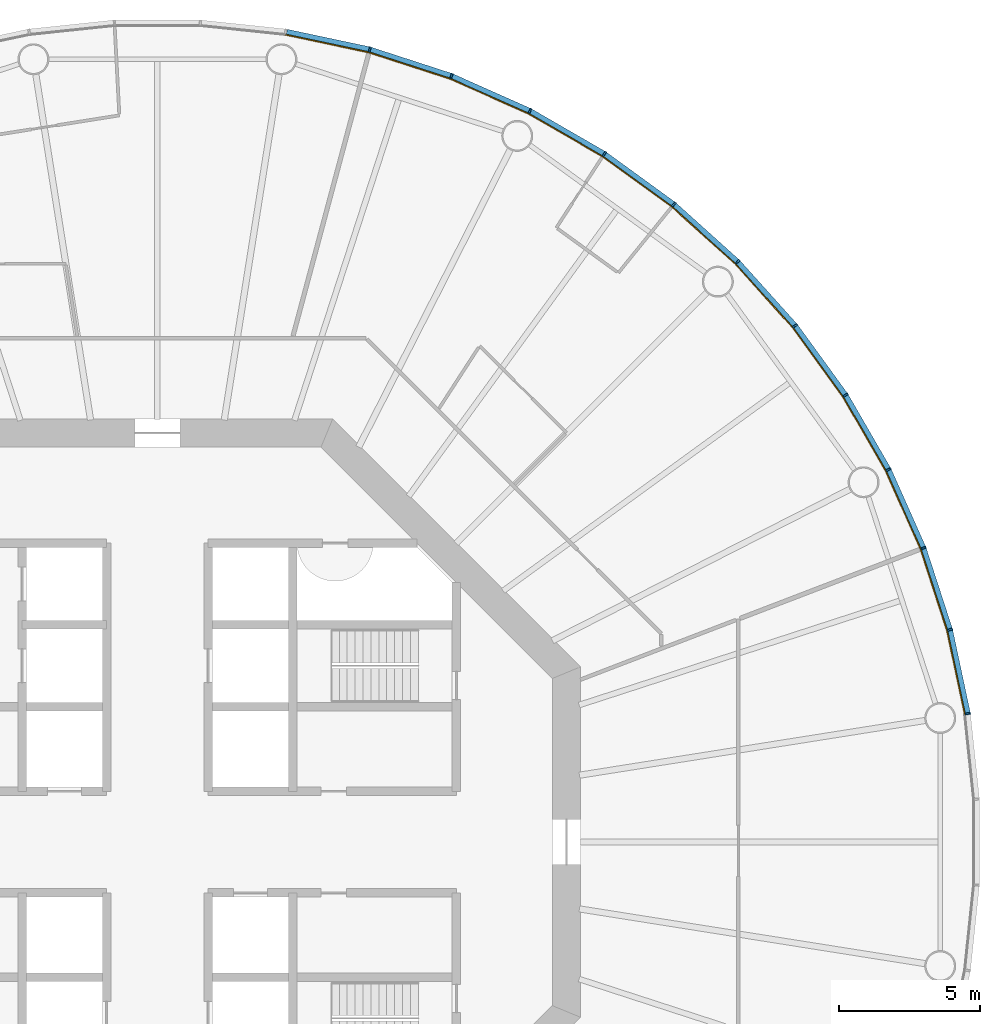
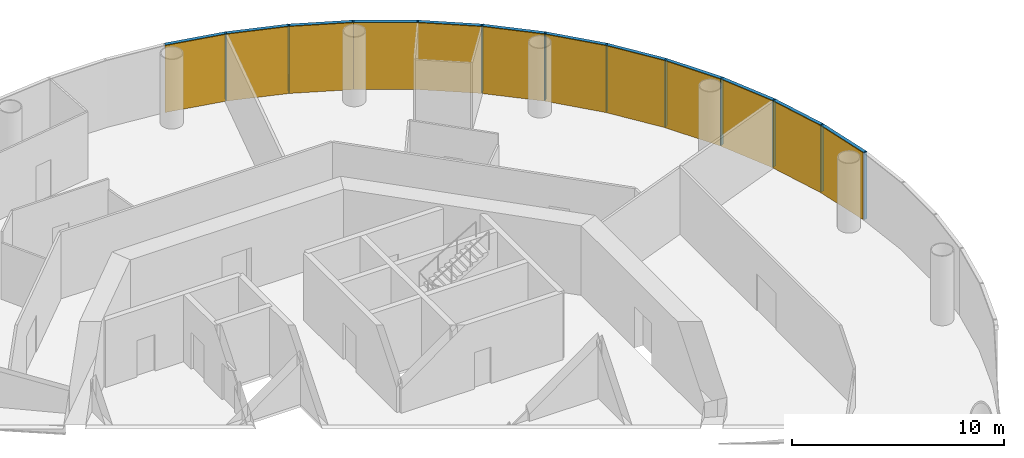
# One storey, part 11 of 12: 24 members, 4 curtain walls.
"""IFC4 building model written with IfcOpenShell, lengths in metres."""

from ifc_helpers import new_model, si_unit, direction, frame, origin, origin_2d, place, context, subcontext, project, spatial, polyline, rectangle, outline, extrude, material, layer, layer_set, material_profile, profile_set, type_object, element, aggregate, save


model = new_model("IFC4")

# Units and contexts
model_context = context("Model", 3, precision=1e-05, world=origin(), true_north=direction((0.0, 1.0)))
body_context = subcontext(model_context, "Body", "Model", "MODEL_VIEW")
ifc_project = project(units=[si_unit("LENGTHUNIT", "METRE"), si_unit("AREAUNIT", "SQUARE_METRE"), si_unit("VOLUMEUNIT", "CUBIC_METRE"), si_unit("PLANEANGLEUNIT", "RADIAN"), si_unit("MASSUNIT", "GRAM", prefix="KILO")], contexts=[model_context])

# Member
ifc_material_1 = material(Name="Anodised aluminium", Category="aluminium")
ifc_material_profile_1 = material_profile(ifc_material_1, rectangle(XDim=0.06494140625, YDim=0.18505859375, at=origin_2d()), Name="Mullion 65 x 185 mm anodised aluminium")
ifc_profile_set_1 = profile_set([ifc_material_profile_1], Name="Anodised aluminium")
member_type_1 = type_object("IfcMemberType", Name="Mullion 65 x 185 mm anodised aluminium", PredefinedType="MULLION", material=ifc_profile_set_1)
site_placement = place(None, origin())
building_placement = place(site_placement, origin())
storey_placement = place(building_placement, frame((0.0, 0.0, 148.0)))
member_1_placement = place(storey_placement, frame((118.734375, 84.551025390625, 0.0), z_axis=(0.0, 0.0, 1.0), x_axis=(-0.15643446504, 0.987688340595, 0.0)))
member_1 = element("IfcMember", 1, at=member_1_placement, type_object=member_type_1, Name="MULLION L33-00", PredefinedType="MULLION", context=body_context, shape_type="SweptSolid", body=[
    extrude(rectangle(XDim=0.06494140625, YDim=0.18505859375, at=origin_2d()), origin(), (0.0, 0.0, 1.0), 3.85009765625),
])

member_2_placement = place(storey_placement, frame((118.101318359375, 87.52978515625, 0.0), z_axis=(0.0, 0.0, 1.0), x_axis=(-0.258819045103, 0.965925826289, 0.0)))
member_2 = element("IfcMember", 2, at=member_2_placement, type_object=member_type_1, Name="MULLION L33-01", PredefinedType="MULLION", context=body_context, shape_type="SweptSolid", body=[
    extrude(rectangle(XDim=0.06494140625, YDim=0.18505859375, at=origin_2d()), origin(), (0.0, 0.0, 1.0), 3.85009765625),
])

member_3_placement = place(storey_placement, frame((117.16015625, 90.42578125, 0.0), z_axis=(0.0, 0.0, 1.0), x_axis=(-0.358367949545, 0.933580426497, 0.0)))
member_3 = element("IfcMember", 3, at=member_3_placement, type_object=member_type_1, Name="MULLION L33-02", PredefinedType="MULLION", context=body_context, shape_type="SweptSolid", body=[
    extrude(rectangle(XDim=0.06494140625, YDim=0.18505859375, at=origin_2d()), origin(), (0.0, 0.0, 1.0), 3.85009765625),
])

member_4_placement = place(storey_placement, frame((115.921630859375, 93.207763671875, 0.0), z_axis=(0.0, 0.0, 1.0), x_axis=(-0.45399049974, 0.891006524188, 0.0)))
member_4 = element("IfcMember", 4, at=member_4_placement, type_object=member_type_1, Name="MULLION L33-03", PredefinedType="MULLION", context=body_context, shape_type="SweptSolid", body=[
    extrude(rectangle(XDim=0.06494140625, YDim=0.18505859375, at=origin_2d()), origin(), (0.0, 0.0, 1.0), 3.85009765625),
])

member_5_placement = place(storey_placement, frame((114.39892578125, 95.844970703125, 0.0), z_axis=(0.0, 0.0, 1.0), x_axis=(-0.544639035015, 0.838670567945, 0.0)))
member_5 = element("IfcMember", 5, at=member_5_placement, type_object=member_type_1, Name="MULLION L33-04", PredefinedType="MULLION", context=body_context, shape_type="SweptSolid", body=[
    extrude(rectangle(XDim=0.06494140625, YDim=0.18505859375, at=origin_2d()), origin(), (0.0, 0.0, 1.0), 3.85009765625),
])

member_6_placement = place(storey_placement, frame((112.609130859375, 98.30859375, 0.0), z_axis=(0.0, 0.0, 1.0), x_axis=(-0.62932039105, 0.777145961457, 0.0)))
member_6 = element("IfcMember", 6, at=member_6_placement, type_object=member_type_1, Name="MULLION L33-05", PredefinedType="MULLION", context=body_context, shape_type="SweptSolid", body=[
    extrude(rectangle(XDim=0.06494140625, YDim=0.18505859375, at=origin_2d()), origin(), (0.0, 0.0, 1.0), 3.85009765625),
])

member_7_placement = place(storey_placement, frame((110.571533203125, 100.571533203125, 0.0), z_axis=(0.0, 0.0, 1.0), x_axis=(-0.707106781187, 0.707106781187, 0.0)))
member_7 = element("IfcMember", 7, at=member_7_placement, type_object=member_type_1, Name="MULLION L33-06", PredefinedType="MULLION", context=body_context, shape_type="SweptSolid", body=[
    extrude(rectangle(XDim=0.06494140625, YDim=0.18505859375, at=origin_2d()), origin(), (0.0, 0.0, 1.0), 3.85009765625),
])

member_8_placement = place(storey_placement, frame((108.30859375, 102.609130859375, 0.0), z_axis=(0.0, 0.0, 1.0), x_axis=(-0.777145961457, 0.62932039105, 0.0)))
member_8 = element("IfcMember", 8, at=member_8_placement, type_object=member_type_1, Name="MULLION L33-07", PredefinedType="MULLION", context=body_context, shape_type="SweptSolid", body=[
    extrude(rectangle(XDim=0.06494140625, YDim=0.18505859375, at=origin_2d()), origin(), (0.0, 0.0, 1.0), 3.85009765625),
])

member_9_placement = place(storey_placement, frame((105.844970703125, 104.39892578125, 0.0), z_axis=(0.0, 0.0, 1.0), x_axis=(-0.838670567945, 0.544639035015, 0.0)))
member_9 = element("IfcMember", 9, at=member_9_placement, type_object=member_type_1, Name="MULLION L33-08", PredefinedType="MULLION", context=body_context, shape_type="SweptSolid", body=[
    extrude(rectangle(XDim=0.06494140625, YDim=0.18505859375, at=origin_2d()), origin(), (0.0, 0.0, 1.0), 3.85009765625),
])

member_10_placement = place(storey_placement, frame((103.207763671875, 105.921630859375, 0.0), z_axis=(0.0, 0.0, 1.0), x_axis=(-0.891006524188, 0.45399049974, 0.0)))
member_10 = element("IfcMember", 10, at=member_10_placement, type_object=member_type_1, Name="MULLION L33-09", PredefinedType="MULLION", context=body_context, shape_type="SweptSolid", body=[
    extrude(rectangle(XDim=0.06494140625, YDim=0.18505859375, at=origin_2d()), origin(), (0.0, 0.0, 1.0), 3.85009765625),
])

member_11_placement = place(storey_placement, frame((100.42578125, 107.16015625, 0.0), z_axis=(0.0, 0.0, 1.0), x_axis=(-0.933580426497, 0.358367949545, 0.0)))
member_11 = element("IfcMember", 11, at=member_11_placement, type_object=member_type_1, Name="MULLION L33-10", PredefinedType="MULLION", context=body_context, shape_type="SweptSolid", body=[
    extrude(rectangle(XDim=0.06494140625, YDim=0.18505859375, at=origin_2d()), origin(), (0.0, 0.0, 1.0), 3.85009765625),
])

member_12_placement = place(storey_placement, frame((97.52978515625, 108.101318359375, 0.0), z_axis=(0.0, 0.0, 1.0), x_axis=(-0.965925826289, 0.258819045103, 0.0)))
member_12 = element("IfcMember", 12, at=member_12_placement, type_object=member_type_1, Name="MULLION L33-11", PredefinedType="MULLION", context=body_context, shape_type="SweptSolid", body=[
    extrude(rectangle(XDim=0.06494140625, YDim=0.18505859375, at=origin_2d()), origin(), (0.0, 0.0, 1.0), 3.85009765625),
])

ifc_material_2 = material(Name="Anodised aluminium", Category="aluminium")
ifc_material_profile_2 = material_profile(ifc_material_2, rectangle(XDim=0.18505859375, YDim=0.175048828125, at=origin_2d()), Name="Transom 175 x 185 mm anodised aluminium")
ifc_profile_set_2 = profile_set([ifc_material_profile_2], Name="Anodised aluminium")
member_type_2 = type_object("IfcMemberType", Name="Transom 175 x 185 mm anodised aluminium", PredefinedType="USERDEFINED", material=ifc_profile_set_2)
member_13_placement = place(storey_placement, frame((118.7265625, 84.587646484375, 3.762451171875), z_axis=(-0.207861704825, 0.97815822425, 0.0), x_axis=(-0.97815822425, -0.207861704825, 0.0)))
member_13 = element("IfcMember", 13, at=member_13_placement, type_object=member_type_2, Name="TRANSOM L33-00", ObjectType="TRANSOM", PredefinedType="USERDEFINED", context=body_context, shape_type="SweptSolid", body=[
    extrude(rectangle(XDim=0.18505859375, YDim=0.175048828125, at=origin_2d()), origin(), (0.0, 0.0, 1.0), 2.970458984375),
])

member_14_placement = place(storey_placement, frame((118.08984375, 87.565185546875, 3.762451171875), z_axis=(-0.30901917063, 0.951055809184, 0.0), x_axis=(-0.951055809184, -0.30901917063, 0.0)))
member_14 = element("IfcMember", 14, at=member_14_placement, type_object=member_type_2, Name="TRANSOM L33-01", ObjectType="TRANSOM", PredefinedType="USERDEFINED", context=body_context, shape_type="SweptSolid", body=[
    extrude(rectangle(XDim=0.18505859375, YDim=0.175048828125, at=origin_2d()), origin(), (0.0, 0.0, 1.0), 2.970703125),
])

member_15_placement = place(storey_placement, frame((117.14501953125, 90.4599609375, 3.762451171875), z_axis=(-0.406687471156, 0.913567348806, 0.0), x_axis=(-0.913567348806, -0.406687471156, 0.0)))
member_15 = element("IfcMember", 15, at=member_15_placement, type_object=member_type_2, Name="TRANSOM L33-02", ObjectType="TRANSOM", PredefinedType="USERDEFINED", context=body_context, shape_type="SweptSolid", body=[
    extrude(rectangle(XDim=0.18505859375, YDim=0.175048828125, at=origin_2d()), origin(), (0.0, 0.0, 1.0), 2.970458984375),
])

member_16_placement = place(storey_placement, frame((115.903076171875, 93.240234375, 3.762451171875), z_axis=(-0.500028367561, 0.866009025146, 0.0), x_axis=(-0.866009025146, -0.500028367561, 0.0)))
member_16 = element("IfcMember", 16, at=member_16_placement, type_object=member_type_2, Name="TRANSOM L33-03", ObjectType="TRANSOM", PredefinedType="USERDEFINED", context=body_context, shape_type="SweptSolid", body=[
    extrude(rectangle(XDim=0.18505859375, YDim=0.175048828125, at=origin_2d()), origin(), (0.0, 0.0, 1.0), 2.970458984375),
])

member_17_placement = place(storey_placement, frame((114.377197265625, 95.875244140625, 3.762451171875), z_axis=(-0.587819781808, 0.808991906087, 0.0), x_axis=(-0.808991906087, -0.587819781808, 0.0)))
member_17 = element("IfcMember", 17, at=member_17_placement, type_object=member_type_2, Name="TRANSOM L33-04", ObjectType="TRANSOM", PredefinedType="USERDEFINED", context=body_context, shape_type="SweptSolid", body=[
    extrude(rectangle(XDim=0.18505859375, YDim=0.175048828125, at=origin_2d()), origin(), (0.0, 0.0, 1.0), 2.970458984375),
])

member_18_placement = place(storey_placement, frame((112.584228515625, 98.33642578125, 3.762451171875), z_axis=(-0.669110027395, 0.743163354343, 0.0), x_axis=(-0.743163354343, -0.669110027395, 0.0)))
member_18 = element("IfcMember", 18, at=member_18_placement, type_object=member_type_2, Name="TRANSOM L33-05", ObjectType="TRANSOM", PredefinedType="USERDEFINED", context=body_context, shape_type="SweptSolid", body=[
    extrude(rectangle(XDim=0.18505859375, YDim=0.175048828125, at=origin_2d()), origin(), (0.0, 0.0, 1.0), 2.970458984375),
])

member_19_placement = place(storey_placement, frame((110.5439453125, 100.5966796875, 3.762451171875), z_axis=(-0.743163354343, 0.669110027395, 0.0), x_axis=(-0.669110027395, -0.743163354343, 0.0)))
member_19 = element("IfcMember", 19, at=member_19_placement, type_object=member_type_2, Name="TRANSOM L33-06", ObjectType="TRANSOM", PredefinedType="USERDEFINED", context=body_context, shape_type="SweptSolid", body=[
    extrude(rectangle(XDim=0.18505859375, YDim=0.175048828125, at=origin_2d()), origin(), (0.0, 0.0, 1.0), 2.970458984375),
])

member_20_placement = place(storey_placement, frame((108.2783203125, 102.631103515625, 3.762451171875), z_axis=(-0.808991906087, 0.587819781808, 0.0), x_axis=(-0.587819781808, -0.808991906087, 0.0)))
member_20 = element("IfcMember", 20, at=member_20_placement, type_object=member_type_2, Name="TRANSOM L33-07", ObjectType="TRANSOM", PredefinedType="USERDEFINED", context=body_context, shape_type="SweptSolid", body=[
    extrude(rectangle(XDim=0.18505859375, YDim=0.175048828125, at=origin_2d()), origin(), (0.0, 0.0, 1.0), 2.970458984375),
])

member_21_placement = place(storey_placement, frame((105.812744140625, 104.417724609375, 3.762451171875), z_axis=(-0.866009025146, 0.500028367561, 0.0), x_axis=(-0.500028367561, -0.866009025146, 0.0)))
member_21 = element("IfcMember", 21, at=member_21_placement, type_object=member_type_2, Name="TRANSOM L33-08", ObjectType="TRANSOM", PredefinedType="USERDEFINED", context=body_context, shape_type="SweptSolid", body=[
    extrude(rectangle(XDim=0.18505859375, YDim=0.175048828125, at=origin_2d()), origin(), (0.0, 0.0, 1.0), 2.970458984375),
])

member_22_placement = place(storey_placement, frame((103.173583984375, 105.93701171875, 3.762451171875), z_axis=(-0.913567348806, 0.406687471156, 0.0), x_axis=(-0.406687471156, -0.913567348806, 0.0)))
member_22 = element("IfcMember", 22, at=member_22_placement, type_object=member_type_2, Name="TRANSOM L33-09", ObjectType="TRANSOM", PredefinedType="USERDEFINED", context=body_context, shape_type="SweptSolid", body=[
    extrude(rectangle(XDim=0.18505859375, YDim=0.175048828125, at=origin_2d()), origin(), (0.0, 0.0, 1.0), 2.970458984375),
])

member_23_placement = place(storey_placement, frame((100.390380859375, 107.171875, 3.762451171875), z_axis=(-0.951055809184, 0.30901917063, 0.0), x_axis=(-0.30901917063, -0.951055809184, 0.0)))
member_23 = element("IfcMember", 23, at=member_23_placement, type_object=member_type_2, Name="TRANSOM L33-10", ObjectType="TRANSOM", PredefinedType="USERDEFINED", context=body_context, shape_type="SweptSolid", body=[
    extrude(rectangle(XDim=0.18505859375, YDim=0.175048828125, at=origin_2d()), origin(), (0.0, 0.0, 1.0), 2.970703125),
])

member_24_placement = place(storey_placement, frame((97.4931640625, 108.109130859375, 3.762451171875), z_axis=(-0.97815822425, 0.207861704825, 0.0), x_axis=(-0.207861704825, -0.97815822425, 0.0)))
member_24 = element("IfcMember", 24, at=member_24_placement, type_object=member_type_2, Name="TRANSOM L33-11", ObjectType="TRANSOM", PredefinedType="USERDEFINED", context=body_context, shape_type="SweptSolid", body=[
    extrude(rectangle(XDim=0.18505859375, YDim=0.175048828125, at=origin_2d()), origin(), (0.0, 0.0, 1.0), 2.970458984375),
])

# Site, building, storey
site = spatial("IfcSite", under=ifc_project, at=site_placement, CompositionType="ELEMENT")
building = spatial("IfcBuilding", under=site, at=building_placement, Name="Entoto Ring Tower", CompositionType="ELEMENT")
storey = spatial("IfcBuildingStorey", under=building, at=storey_placement, Name="L33", CompositionType="ELEMENT", Elevation=148.0)

# Curtain wall
ifc_material_3 = material(Name="Clear low-iron glass", Category="glass")
ifc_layer = layer(ifc_material_3, 0.033935546875)
ifc_layer_set = layer_set([ifc_layer], Name="Clear low-iron glass")
curtain_wall_type = type_object("IfcCurtainWallType", Name="Curtain wall system CW3 glazing 34 mm", PredefinedType="NOTDEFINED", material=ifc_layer_set)
curtain_wall_1_placement = place(storey_placement, origin())
curtain_wall_1 = element("IfcCurtainWall", 25, at=curtain_wall_1_placement, inside=storey, type_object=curtain_wall_type, Name="CW3 L33-01", PredefinedType="NOTDEFINED", context=body_context, shape_type="SweptSolid", body=[
    extrude(outline(polyline([(118.64306640625, 84.53662109375), (118.011962890625, 87.505859375), (117.07373046875, 90.392578125), (115.839111328125, 93.165771484375), (115.808837890625, 93.150146484375), (117.0419921875, 90.38037109375), (117.97900390625, 87.496826171875), (118.609375, 84.53125), (118.64306640625, 84.53662109375)])), origin(), (0.0, 0.0, 1.0), 3.85009765625),
])

aggregate(curtain_wall_1, [member_1, member_2, member_3, member_13, member_14, member_15])

curtain_wall_2_placement = place(storey_placement, origin())
curtain_wall_2 = element("IfcCurtainWall", 26, at=curtain_wall_2_placement, inside=storey, type_object=curtain_wall_type, Name="CW3 L33-02", PredefinedType="NOTDEFINED", context=body_context, shape_type="SweptSolid", body=[
    extrude(outline(polyline([(115.839111328125, 93.165771484375), (114.321533203125, 95.79443359375), (112.537353515625, 98.250244140625), (110.506103515625, 100.506103515625), (110.48193359375, 100.48193359375), (112.5107421875, 98.228759765625), (114.29296875, 95.77587890625), (115.808837890625, 93.150146484375), (115.839111328125, 93.165771484375)])), origin(), (0.0, 0.0, 1.0), 3.85009765625),
])

aggregate(curtain_wall_2, [member_4, member_5, member_6, member_16, member_17, member_18])

curtain_wall_3_placement = place(storey_placement, origin())
curtain_wall_3 = element("IfcCurtainWall", 27, at=curtain_wall_3_placement, inside=storey, type_object=curtain_wall_type, Name="CW3 L33-03", PredefinedType="NOTDEFINED", context=body_context, shape_type="SweptSolid", body=[
    extrude(outline(polyline([(110.506103515625, 100.506103515625), (108.250244140625, 102.537353515625), (105.79443359375, 104.321533203125), (103.165771484375, 105.839111328125), (103.150146484375, 105.808837890625), (105.77587890625, 104.29296875), (108.228759765625, 102.5107421875), (110.48193359375, 100.48193359375), (110.506103515625, 100.506103515625)])), origin(), (0.0, 0.0, 1.0), 3.85009765625),
])

aggregate(curtain_wall_3, [member_7, member_8, member_9, member_19, member_20, member_21])

curtain_wall_4_placement = place(storey_placement, origin())
curtain_wall_4 = element("IfcCurtainWall", 28, at=curtain_wall_4_placement, inside=storey, type_object=curtain_wall_type, Name="CW3 L33-04", PredefinedType="NOTDEFINED", context=body_context, shape_type="SweptSolid", body=[
    extrude(outline(polyline([(103.165771484375, 105.839111328125), (100.392578125, 107.07373046875), (97.505859375, 108.011962890625), (94.53662109375, 108.64306640625), (94.53125, 108.609375), (97.496826171875, 107.97900390625), (100.38037109375, 107.0419921875), (103.150146484375, 105.808837890625), (103.165771484375, 105.839111328125)])), origin(), (0.0, 0.0, 1.0), 3.85009765625),
])

aggregate(curtain_wall_4, [member_10, member_11, member_12, member_22, member_23, member_24])

save(model, "model.ifc")
